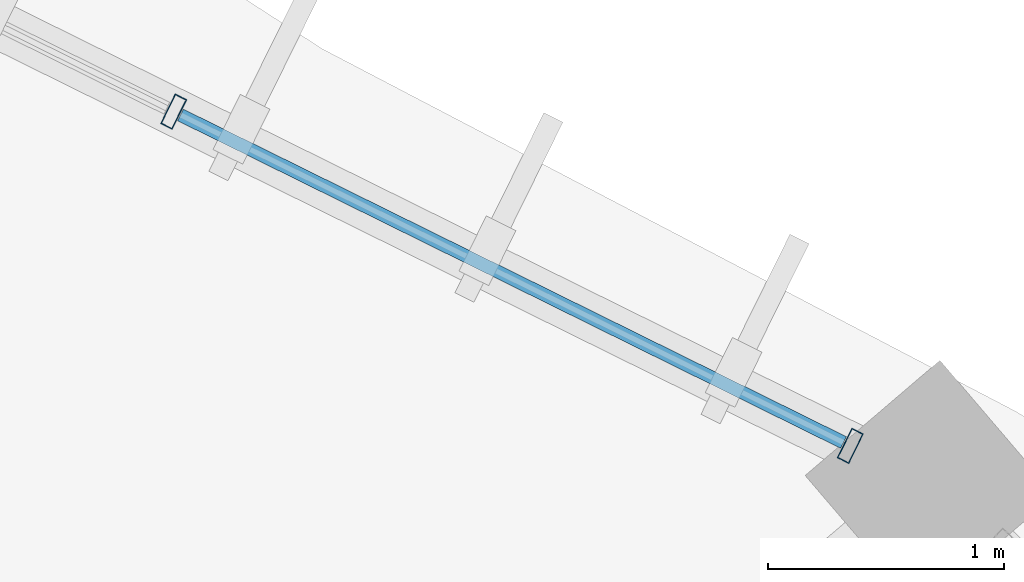
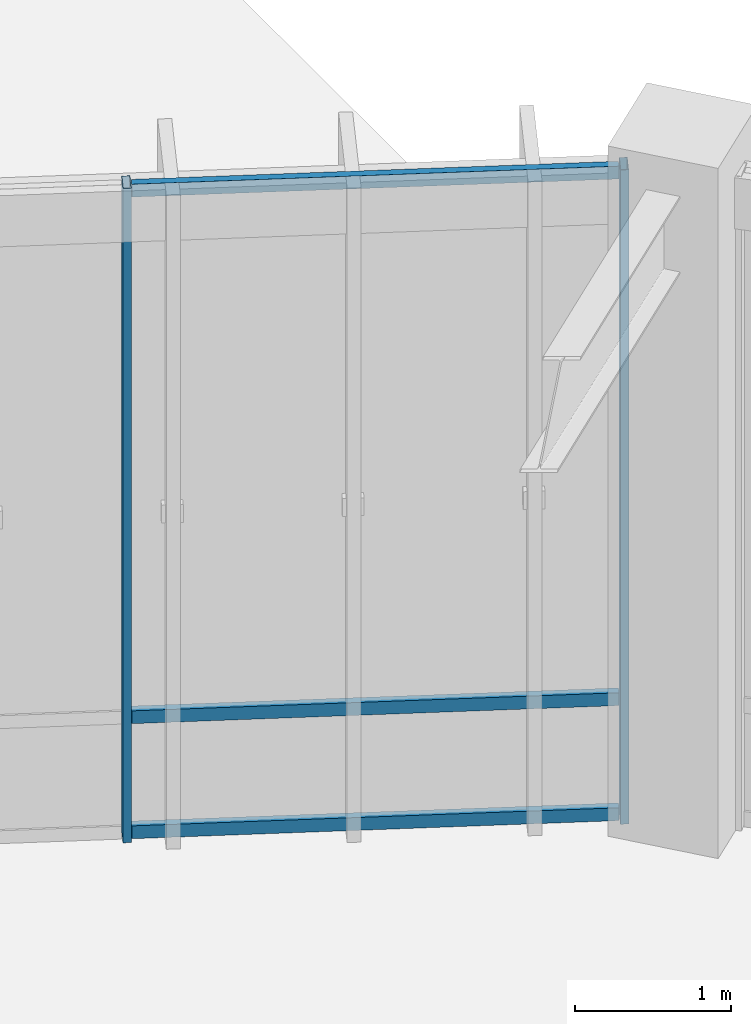
# One storey, part 79 of 157: 5 members, 1 element without a shape of its own.
"""IFC4 building model written with IfcOpenShell, lengths in metres."""

from ifc_helpers import new_model, si_unit, direction, frame, origin, origin_2d, place, context, subcontext, project, spatial, hollow_rectangle, extrude, material, material_profile, profile_set, type_object, element, aggregate, save


model = new_model("IFC4")

# Units and contexts
model_context = context("Model", 3, precision=1e-05, world=origin(), true_north=direction((0.0, 1.0)))
body_context = subcontext(model_context, "Body", "Model", "MODEL_VIEW")
ifc_project = project(units=[si_unit("LENGTHUNIT", "METRE"), si_unit("AREAUNIT", "SQUARE_METRE"), si_unit("VOLUMEUNIT", "CUBIC_METRE"), si_unit("PLANEANGLEUNIT", "RADIAN"), si_unit("MASSUNIT", "GRAM", prefix="KILO"), si_unit("THERMODYNAMICTEMPERATUREUNIT", "KELVIN"), si_unit("POWERUNIT", "WATT")], contexts=[model_context])

# Site, building, storey
site_placement = place(None, origin())
site = spatial("IfcSite", under=ifc_project, at=site_placement, CompositionType="ELEMENT")
building_placement = place(site_placement, origin())
building = spatial("IfcBuilding", under=site, at=building_placement, Name="Darbajah Civic Hall", CompositionType="ELEMENT")
storey_placement = place(building_placement, origin())
storey = spatial("IfcBuildingStorey", under=building, at=storey_placement, Name="L00", CompositionType="ELEMENT", Elevation=0.0)

# Curtain wall, members
ifc_material_1 = material(Name="Anodised Bronze Aluminium and Low-E Glazing", Category="aluminium")
curtain_wall_type = type_object("IfcCurtainWallType", Name="Unitised Curtain Wall CW-02 12800x5100", PredefinedType="USERDEFINED", material=ifc_material_1)
curtain_wall_placement = place(storey_placement, origin())
curtain_wall = element("IfcCurtainWall", 1, at=curtain_wall_placement, inside=storey, type_object=curtain_wall_type, Name="L00 unitised curtain wall CW-V1O-L00-02", ObjectType="UNITISED CURTAIN WALL", PredefinedType="USERDEFINED")
ifc_material_2 = material(Name="Anodised Bronze Aluminium", Category="aluminium")
ifc_material_profile_1 = material_profile(ifc_material_2, hollow_rectangle(XDim=0.054931640625, YDim=0.139892578125, WallThickness=0.003173828125, at=origin_2d()), Name="ALU MULLION 55x140")
ifc_profile_set_1 = profile_set([ifc_material_profile_1], Name="Anodised Bronze Aluminium")
member_type_1 = type_object("IfcMemberType", Name="ALU MULLION 55x140", PredefinedType="MULLION", material=ifc_profile_set_1)
member_1_placement = place(storey_placement, frame((127.542724609375, 109.125732421875, 0.0), z_axis=(0.0, 0.0, 1.0), x_axis=(-0.89656374724, 0.442914717678, 0.0)))
member_1 = element("IfcMember", 2, at=member_1_placement, type_object=member_type_1, Name="CW-V1O-L00-02 mullion 1", PredefinedType="MULLION", context=body_context, shape_type="SweptSolid", body=[
    extrude(hollow_rectangle(XDim=0.054931640625, YDim=0.139892578125, WallThickness=0.003173828125, at=origin_2d()), origin(), (0.0, 0.0, 1.0), 5.1201171875),
])
member_2_placement = place(storey_placement, frame((124.678466796875, 110.540771484375, 0.0), z_axis=(0.0, 0.0, 1.0), x_axis=(-0.89656374724, 0.442914717678, 0.0)))
member_2 = element("IfcMember", 3, at=member_2_placement, type_object=member_type_1, Name="CW-V1O-L00-02 mullion 2", PredefinedType="MULLION", context=body_context, shape_type="SweptSolid", body=[
    extrude(hollow_rectangle(XDim=0.054931640625, YDim=0.139892578125, WallThickness=0.003173828125, at=origin_2d()), origin(), (0.0, 0.0, 1.0), 5.1201171875),
])
ifc_material_profile_2 = material_profile(ifc_material_2, hollow_rectangle(XDim=0.054931640625, YDim=0.10009765625, WallThickness=0.0029296875, at=origin_2d()), Name="ALU TRANSOM 55x100")
ifc_profile_set_2 = profile_set([ifc_material_profile_2], Name="Anodised Bronze Aluminium")
member_type_2 = type_object("IfcMemberType", Name="ALU TRANSOM 55x100", PredefinedType="USERDEFINED", material=ifc_profile_set_2)
member_3_placement = place(storey_placement, frame((127.513671875, 109.14013671875, 0.050048828125), z_axis=(-0.896569717473, 0.442902632314, 0.0), x_axis=(-0.442902632314, -0.896569717473, 0.0)))
member_3 = element("IfcMember", 4, at=member_3_placement, type_object=member_type_2, Name="CW-V1O-L00-02 transom 1.1", ObjectType="TRANSOM", PredefinedType="USERDEFINED", context=body_context, shape_type="SweptSolid", body=[
    extrude(hollow_rectangle(XDim=0.054931640625, YDim=0.10009765625, WallThickness=0.0029296875, at=origin_2d()), origin(), (0.0, 0.0, 1.0), 3.1298828125),
])
member_4_placement = place(storey_placement, frame((127.513671875, 109.14013671875, 0.949951171875), z_axis=(-0.896569717473, 0.442902632314, 0.0), x_axis=(-0.442902632314, -0.896569717473, 0.0)))
member_4 = element("IfcMember", 5, at=member_4_placement, type_object=member_type_2, Name="CW-V1O-L00-02 transom 1.2", ObjectType="TRANSOM", PredefinedType="USERDEFINED", context=body_context, shape_type="SweptSolid", body=[
    extrude(hollow_rectangle(XDim=0.054931640625, YDim=0.10009765625, WallThickness=0.0029296875, at=origin_2d()), origin(), (0.0, 0.0, 1.0), 3.1298828125),
])
member_5_placement = place(storey_placement, frame((127.513671875, 109.14013671875, 5.070068359375), z_axis=(-0.896569717473, 0.442902632314, 0.0), x_axis=(-0.442902632314, -0.896569717473, 0.0)))
member_5 = element("IfcMember", 6, at=member_5_placement, type_object=member_type_2, Name="CW-V1O-L00-02 transom 1.3", ObjectType="TRANSOM", PredefinedType="USERDEFINED", context=body_context, shape_type="SweptSolid", body=[
    extrude(hollow_rectangle(XDim=0.054931640625, YDim=0.10009765625, WallThickness=0.0029296875, at=origin_2d()), origin(), (0.0, 0.0, 1.0), 3.1298828125),
])
aggregate(curtain_wall, [member_1, member_2, member_3, member_4, member_5])

save(model, "model.ifc")
